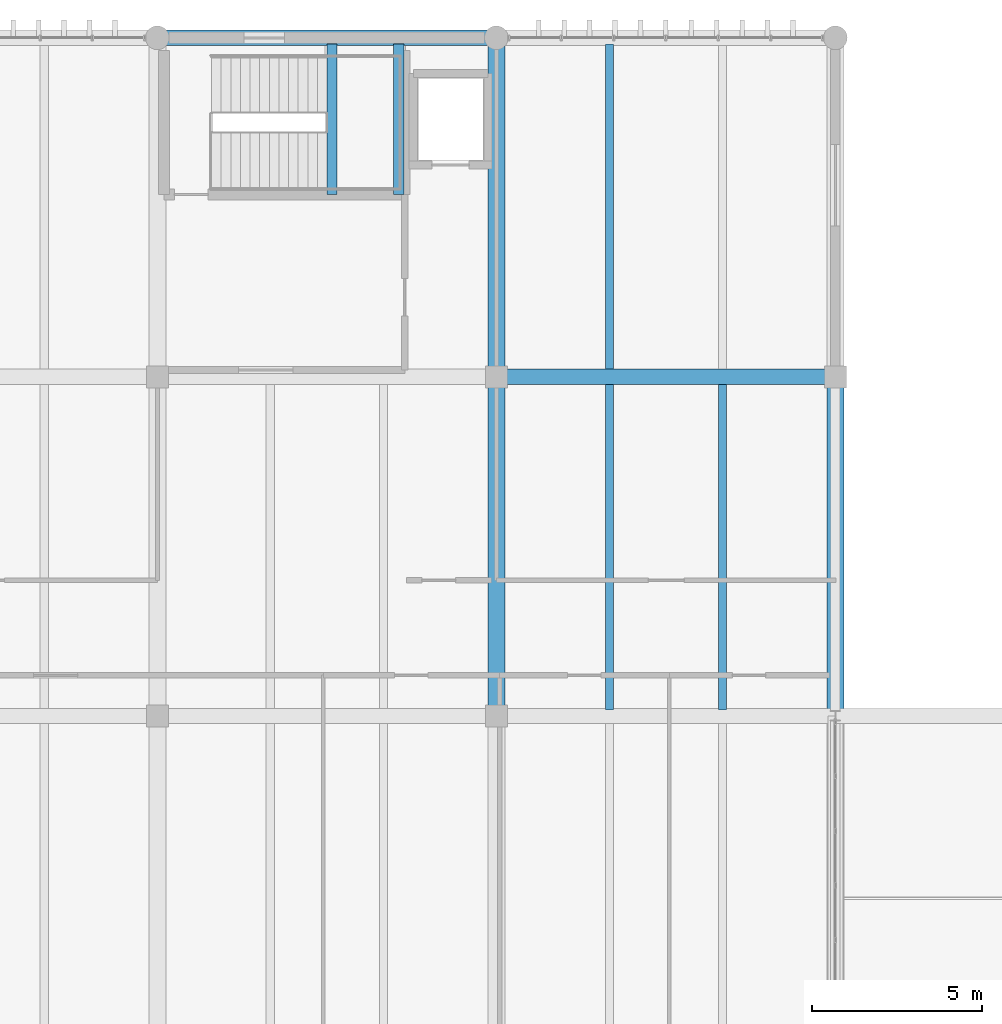
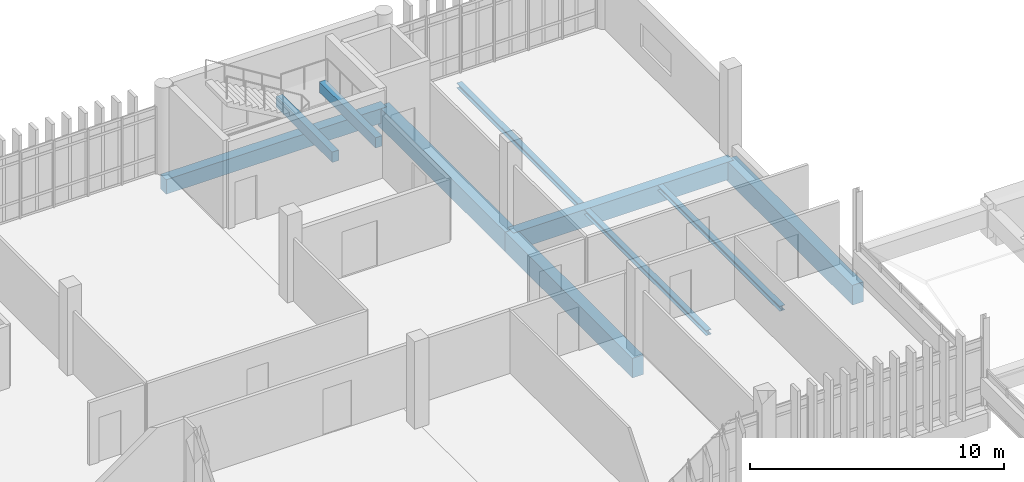
# One storey, part 40 of 82: 10 beams.
"""IFC4 building model written with IfcOpenShell, lengths in metres."""

from ifc_helpers import new_model, si_unit, direction, frame, origin, origin_2d, place, context, subcontext, project, spatial, rectangle, i_section, extrude, material, material_profile, profile_set, type_object, element, save


model = new_model("IFC4")

# Units and contexts
model_context = context("Model", 3, precision=1e-05, world=origin(), true_north=direction((0.0, 1.0)))
body_context = subcontext(model_context, "Body", "Model", "MODEL_VIEW")
ifc_project = project(units=[si_unit("LENGTHUNIT", "METRE"), si_unit("AREAUNIT", "SQUARE_METRE"), si_unit("VOLUMEUNIT", "CUBIC_METRE"), si_unit("PLANEANGLEUNIT", "RADIAN"), si_unit("MASSUNIT", "GRAM", prefix="KILO")], contexts=[model_context])

# Site, building, storey
site_placement = place(None, origin())
site = spatial("IfcSite", under=ifc_project, at=site_placement, CompositionType="ELEMENT")
building_placement = place(site_placement, origin())
building = spatial("IfcBuilding", under=site, at=building_placement, Name="Mersad Railyard Sports Hall", CompositionType="ELEMENT")
storey_placement = place(building_placement, frame((0.0, 0.0, 13.199951171875)))
storey = spatial("IfcBuildingStorey", under=building, at=storey_placement, Name="L03", CompositionType="ELEMENT", Elevation=13.199951171875)

# Beams
ifc_material_1 = material(Name="Concrete C40/50", Category="concrete")
ifc_material_profile_1 = material_profile(ifc_material_1, rectangle(XDim=0.449951171875, YDim=0.85009765625, at=origin_2d()), Name="RC 450x850")
ifc_profile_set_1 = profile_set([ifc_material_profile_1], Name="Concrete C40/50")
beam_type_1 = type_object("IfcBeamType", Name="STR-BM-B02", PredefinedType="BEAM", material=ifc_profile_set_1)
beam_1_placement = place(storey_placement, frame((121.0, 105.0, -0.744873046875), z_axis=(1.0, 0.0, 0.0), x_axis=(0.0, 1.0, 0.0)))
element("IfcBeam", 1, at=beam_1_placement, inside=storey, type_object=beam_type_1, Name="Beam B02-1235", PredefinedType="BEAM", context=body_context, shape_type="SweptSolid", body=[
    extrude(rectangle(XDim=0.449951171875, YDim=0.85009765625, at=origin_2d()), origin(), (0.0, 0.0, 1.0), 10.0),
])
ifc_material_2 = material(Name="Concrete C50/60", Category="concrete")
ifc_material_profile_2 = material_profile(ifc_material_2, rectangle(XDim=0.5, YDim=0.949951171875, at=origin_2d()), Name="RC 500x950")
ifc_profile_set_2 = profile_set([ifc_material_profile_2], Name="Concrete C50/60")
beam_type_2 = type_object("IfcBeamType", Name="STR-BM-B03", PredefinedType="BEAM", material=ifc_profile_set_2)
for number, where, z_axis, x_axis, name in (
    (2, (121.0, 95.0, -0.794921875), (0.0, 1.0, 0.0), (-1.0, 0.0, 0.0), "Beam B03-1266"),
    (3, (121.0, 105.0, -0.794921875), (0.0, 1.0, 0.0), (-1.0, 0.0, 0.0), "Beam B03-1267"),
    (4, (131.0, 95.0, -0.794921875), (0.0, 1.0, 0.0), (-1.0, 0.0, 0.0), "Beam B03-1269"),
):
    element("IfcBeam", number, at=place(storey_placement, frame(where, z_axis=z_axis, x_axis=x_axis)), inside=storey, type_object=beam_type_2, Name=name, PredefinedType="BEAM", context=body_context, shape_type="SweptSolid", body=[
        extrude(rectangle(XDim=0.5, YDim=0.949951171875, at=origin_2d()), origin(), (0.0, 0.0, 1.0), 10.0),
    ])
ifc_material_profile_3 = material_profile(ifc_material_1, rectangle(XDim=0.300048828125, YDim=0.5, at=origin_2d()), Name="RC 300x500")
ifc_profile_set_3 = profile_set([ifc_material_profile_3], Name="Concrete C40/50")
beam_type_3 = type_object("IfcBeamType", Name="STR-BM-LN01", PredefinedType="LINTEL", material=ifc_profile_set_3)
for number, where, z_axis, x_axis, name in (
    (5, (116.14794921875, 110.3798828125, 1.670166015625), (0.0, 1.0, 0.0), (-1.0, 0.0, 0.0), "Stair ST03E landing beam W"),
    (6, (118.1201171875, 110.3798828125, 1.670166015625), (0.0, 1.0, 0.0), (-1.0, 0.0, 0.0), "Stair ST03E landing beam E"),
):
    element("IfcBeam", number, at=place(storey_placement, frame(where, z_axis=z_axis, x_axis=x_axis)), inside=storey, type_object=beam_type_3, Name=name, PredefinedType="LINTEL", context=body_context, shape_type="SweptSolid", body=[
        extrude(rectangle(XDim=0.300048828125, YDim=0.5, at=origin_2d()), origin(), (0.0, 0.0, 1.0), 4.43017578125),
    ])
ifc_material_3 = material(Name="Steel S355", Category="steel")
ifc_material_profile_4 = material_profile(ifc_material_3, i_section(OverallWidth=0.239990234375, OverallDepth=0.239990234375, WebThickness=0.010009765625, FlangeThickness=0.01708984375, at=origin_2d()), Name="HEB 240")
ifc_profile_set_4 = profile_set([ifc_material_profile_4], Name="Steel S355")
beam_type_4 = type_object("IfcBeamType", Name="STR-BM-SB04", PredefinedType="BEAM", material=ifc_profile_set_4)
for number, where, z_axis, x_axis, name in (
    (7, (124.3330078125, 95.179931640625, -0.43994140625), (0.0, 1.0, 0.0), (-1.0, 0.0, 0.0), "Beam SB04-1310"),
    (8, (127.6669921875, 95.179931640625, -0.43994140625), (0.0, 1.0, 0.0), (-1.0, 0.0, 0.0), "Beam SB04-1311"),
    (9, (124.3330078125, 105.179931640625, -0.43994140625), (0.0, 1.0, 0.0), (-1.0, 0.0, 0.0), "Beam SB04-1312"),
):
    element("IfcBeam", number, at=place(storey_placement, frame(where, z_axis=z_axis, x_axis=x_axis)), inside=storey, type_object=beam_type_4, Name=name, PredefinedType="BEAM", context=body_context, shape_type="SweptSolid", body=[
        extrude(i_section(OverallWidth=0.239990234375, OverallDepth=0.239990234375, WebThickness=0.010009765625, FlangeThickness=0.01708984375, at=origin_2d()), origin(), (0.0, 0.0, 1.0), 9.64013671875),
    ])
ifc_material_4 = material(Name="Architectural concrete C40/50", Category="concrete")
ifc_material_profile_5 = material_profile(ifc_material_4, rectangle(XDim=0.449951171875, YDim=0.699951171875, at=origin_2d()), Name="RC 450x700")
ifc_profile_set_5 = profile_set([ifc_material_profile_5], Name="Architectural concrete C40/50")
beam_type_5 = type_object("IfcBeamType", Name="STR-BM-SP01", PredefinedType="SPANDREL", material=ifc_profile_set_5)
beam_2_placement = place(storey_placement, frame((111.0, 115.0, -0.669921875), z_axis=(1.0, 0.0, 0.0), x_axis=(0.0, 1.0, 0.0)))
element("IfcBeam", 10, at=beam_2_placement, inside=storey, type_object=beam_type_5, Name="Beam SP01-1242", PredefinedType="SPANDREL", context=body_context, shape_type="SweptSolid", body=[
    extrude(rectangle(XDim=0.449951171875, YDim=0.699951171875, at=origin_2d()), origin(), (0.0, 0.0, 1.0), 10.0),
])

save(model, "model.ifc")
